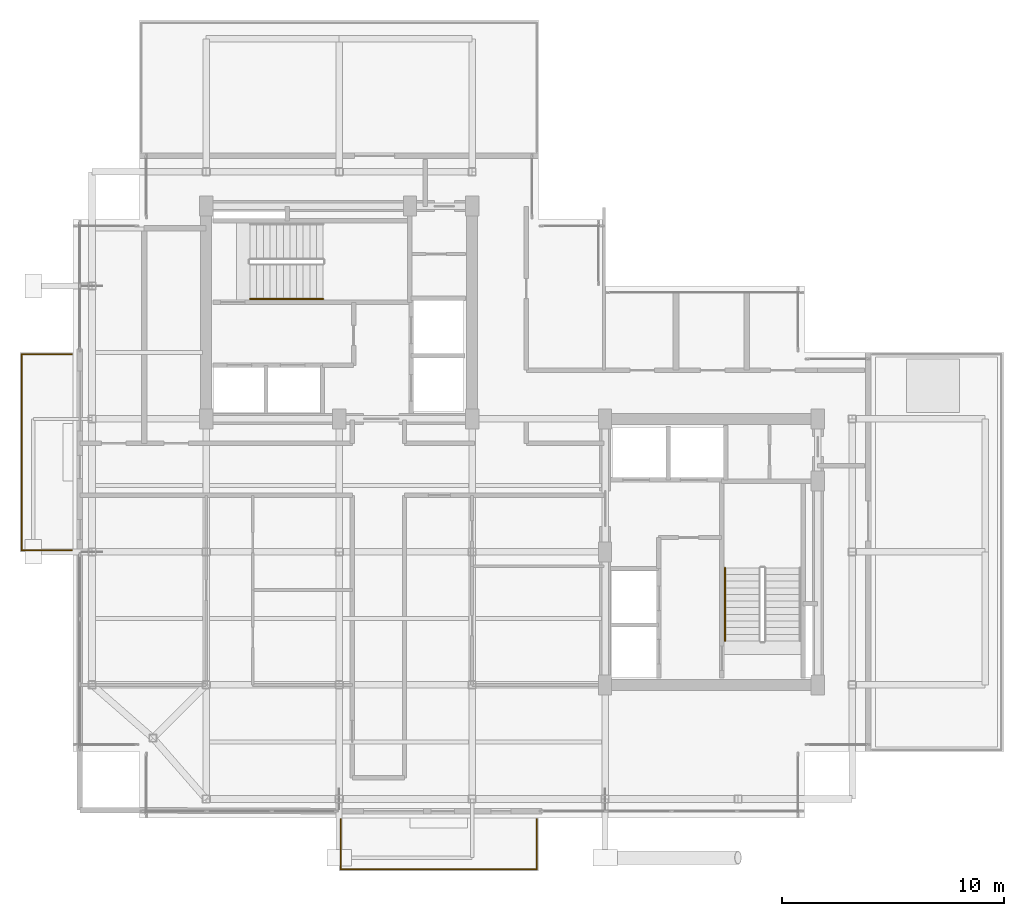
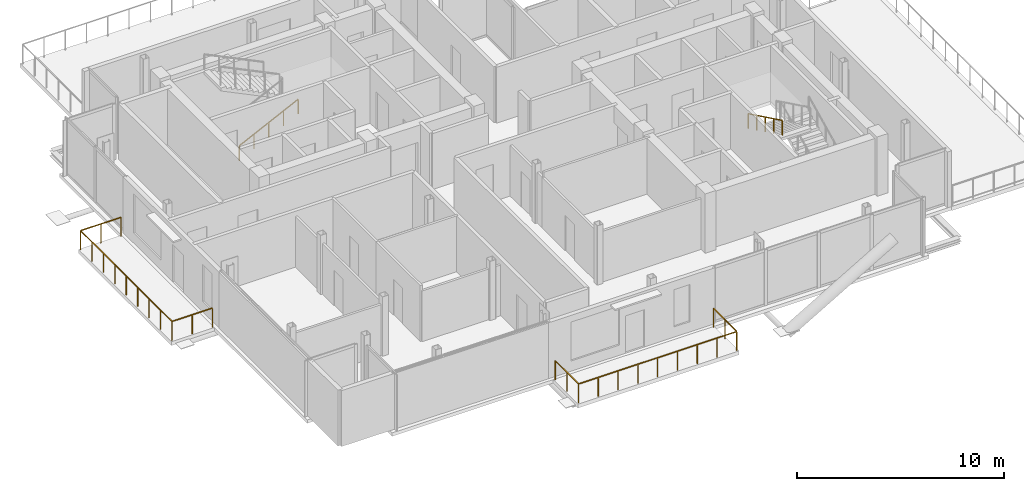
# One storey, part 17 of 19: 4 railings.
"""IFC4 building model written with IfcOpenShell, lengths in metres."""

from ifc_helpers import new_model, si_unit, direction, frame, origin, origin_2d, place, context, subcontext, project, spatial, rectangle, extrude, material, type_object, element, save


model = new_model("IFC4")

# Units and contexts
model_context = context("Model", 3, precision=1e-05, world=origin(), true_north=direction((0.0, 1.0)))
body_context = subcontext(model_context, "Body", "Model", "MODEL_VIEW")
ifc_project = project(units=[si_unit("LENGTHUNIT", "METRE"), si_unit("AREAUNIT", "SQUARE_METRE"), si_unit("VOLUMEUNIT", "CUBIC_METRE"), si_unit("PLANEANGLEUNIT", "RADIAN"), si_unit("MASSUNIT", "GRAM", prefix="KILO"), si_unit("THERMODYNAMICTEMPERATUREUNIT", "KELVIN"), si_unit("POWERUNIT", "WATT")], contexts=[model_context])

# Site, building, storey
site_placement = place(None, origin())
site = spatial("IfcSite", under=ifc_project, at=site_placement, CompositionType="ELEMENT")
building_placement = place(site_placement, origin())
building = spatial("IfcBuilding", under=site, at=building_placement, Name="Svarakhadi Broadcast Tower", CompositionType="ELEMENT")
storey_placement = place(building_placement, frame((0.0, 0.0, 239.699951171875)))
storey = spatial("IfcBuildingStorey", under=building, at=storey_placement, Name="L59", CompositionType="ELEMENT", Elevation=239.699951171875)

# Railings
ifc_material_1 = material(Name="Laminated Structural SentryGlas Balustrade 25.5 mm", Category="glass")
railing_type_1 = type_object("IfcRailingType", Name="Guard_Balcony_GR01", PredefinedType="BALUSTRADE", material=ifc_material_1)
railing_1_placement = place(storey_placement, frame((12.080078125, -0.06005859375, 0.0)))
element("IfcRailing", 1, at=railing_1_placement, inside=storey, type_object=railing_type_1, Name="L59 South Tree Balcony Guard GR-05", PredefinedType="BALUSTRADE", context=body_context, shape_type="SweptSolid", body=[
    extrude(rectangle(XDim=0.048095703125, YDim=0.048095703125, at=origin_2d()), frame((0.0, 0.0, 1.1259765625), z_axis=(0.0, -1.0, 0.0), x_axis=(1.0, 0.0, 0.0)), (0.0, 0.0, 1.0), 2.260009765625),
    extrude(rectangle(XDim=0.048095703125, YDim=0.048095703125, at=origin_2d()), frame((0.0, -2.260009765625, 1.1259765625), z_axis=(1.0, 0.0, 0.0), x_axis=(0.0, 1.0, 0.0)), (0.0, 0.0, 1.0), 8.83984375),
    extrude(rectangle(XDim=0.048095703125, YDim=0.048095703125, at=origin_2d()), frame((8.83984375, -2.260009765625, 1.1259765625), z_axis=(0.0, 1.0, 0.0), x_axis=(-1.0, 0.0, 0.0)), (0.0, 0.0, 1.0), 2.260009765625),
    extrude(rectangle(XDim=0.0419921875, YDim=0.0419921875, at=origin_2d()), origin(), (0.0, 0.0, 1.0), 1.101806640625),
    extrude(rectangle(XDim=0.0419921875, YDim=0.0419921875, at=origin_2d()), frame((0.0, -1.1298828125, 0.0)), (0.0, 0.0, 1.0), 1.101806640625),
    extrude(rectangle(XDim=0.0419921875, YDim=0.0419921875, at=origin_2d()), frame((0.0, -2.260009765625, 0.0)), (0.0, 0.0, 1.0), 1.101806640625),
    extrude(rectangle(XDim=0.0419921875, YDim=0.0419921875, at=origin_2d()), frame((1.10498046875, -2.260009765625, 0.0)), (0.0, 0.0, 1.0), 1.101806640625),
    extrude(rectangle(XDim=0.0419921875, YDim=0.0419921875, at=origin_2d()), frame((2.2099609375, -2.260009765625, 0.0)), (0.0, 0.0, 1.0), 1.101806640625),
    extrude(rectangle(XDim=0.0419921875, YDim=0.0419921875, at=origin_2d()), frame((3.31494140625, -2.260009765625, 0.0)), (0.0, 0.0, 1.0), 1.101806640625),
    extrude(rectangle(XDim=0.0419921875, YDim=0.0419921875, at=origin_2d()), frame((4.419921875, -2.260009765625, 0.0)), (0.0, 0.0, 1.0), 1.101806640625),
    extrude(rectangle(XDim=0.0419921875, YDim=0.0419921875, at=origin_2d()), frame((5.52490234375, -2.260009765625, 0.0)), (0.0, 0.0, 1.0), 1.101806640625),
    extrude(rectangle(XDim=0.0419921875, YDim=0.0419921875, at=origin_2d()), frame((6.6298828125, -2.260009765625, 0.0)), (0.0, 0.0, 1.0), 1.101806640625),
    extrude(rectangle(XDim=0.0419921875, YDim=0.0419921875, at=origin_2d()), frame((7.73486328125, -2.260009765625, 0.0)), (0.0, 0.0, 1.0), 1.101806640625),
    extrude(rectangle(XDim=0.0419921875, YDim=0.0419921875, at=origin_2d()), frame((8.83984375, -2.260009765625, 0.0)), (0.0, 0.0, 1.0), 1.101806640625),
    extrude(rectangle(XDim=0.0419921875, YDim=0.0419921875, at=origin_2d()), frame((8.83984375, -1.1298828125, 0.0)), (0.0, 0.0, 1.0), 1.101806640625),
    extrude(rectangle(XDim=0.0419921875, YDim=0.0419921875, at=origin_2d()), frame((8.83984375, 0.0, 0.0)), (0.0, 0.0, 1.0), 1.101806640625),
])
railing_2_placement = place(storey_placement, frame((-0.06005859375, 12.080078125, 0.0)))
element("IfcRailing", 2, at=railing_2_placement, inside=storey, type_object=railing_type_1, Name="L59 West Tree Balcony Guard GR-05", PredefinedType="BALUSTRADE", context=body_context, shape_type="SweptSolid", body=[
    extrude(rectangle(XDim=0.048095703125, YDim=0.048095703125, at=origin_2d()), frame((0.0, 0.0, 1.1259765625), z_axis=(-1.0, 0.0, 0.0), x_axis=(0.0, -1.0, 0.0)), (0.0, 0.0, 1.0), 2.260009765625),
    extrude(rectangle(XDim=0.048095703125, YDim=0.048095703125, at=origin_2d()), frame((-2.260009765625, 0.0, 1.1259765625), z_axis=(0.0, 1.0, 0.0), x_axis=(-1.0, 0.0, 0.0)), (0.0, 0.0, 1.0), 8.83984375),
    extrude(rectangle(XDim=0.048095703125, YDim=0.048095703125, at=origin_2d()), frame((-2.260009765625, 8.83984375, 1.1259765625), z_axis=(1.0, 0.0, 0.0), x_axis=(0.0, 1.0, 0.0)), (0.0, 0.0, 1.0), 2.260009765625),
    extrude(rectangle(XDim=0.0419921875, YDim=0.0419921875, at=origin_2d()), origin(), (0.0, 0.0, 1.0), 1.101806640625),
    extrude(rectangle(XDim=0.0419921875, YDim=0.0419921875, at=origin_2d()), frame((-1.1298828125, 0.0, 0.0)), (0.0, 0.0, 1.0), 1.101806640625),
    extrude(rectangle(XDim=0.0419921875, YDim=0.0419921875, at=origin_2d()), frame((-2.260009765625, 0.0, 0.0)), (0.0, 0.0, 1.0), 1.101806640625),
    extrude(rectangle(XDim=0.0419921875, YDim=0.0419921875, at=origin_2d()), frame((-2.260009765625, 1.10498046875, 0.0)), (0.0, 0.0, 1.0), 1.101806640625),
    extrude(rectangle(XDim=0.0419921875, YDim=0.0419921875, at=origin_2d()), frame((-2.260009765625, 2.2099609375, 0.0)), (0.0, 0.0, 1.0), 1.101806640625),
    extrude(rectangle(XDim=0.0419921875, YDim=0.0419921875, at=origin_2d()), frame((-2.260009765625, 3.31494140625, 0.0)), (0.0, 0.0, 1.0), 1.101806640625),
    extrude(rectangle(XDim=0.0419921875, YDim=0.0419921875, at=origin_2d()), frame((-2.260009765625, 4.419921875, 0.0)), (0.0, 0.0, 1.0), 1.101806640625),
    extrude(rectangle(XDim=0.0419921875, YDim=0.0419921875, at=origin_2d()), frame((-2.260009765625, 5.52490234375, 0.0)), (0.0, 0.0, 1.0), 1.101806640625),
    extrude(rectangle(XDim=0.0419921875, YDim=0.0419921875, at=origin_2d()), frame((-2.260009765625, 6.6298828125, 0.0)), (0.0, 0.0, 1.0), 1.101806640625),
    extrude(rectangle(XDim=0.0419921875, YDim=0.0419921875, at=origin_2d()), frame((-2.260009765625, 7.73486328125, 0.0)), (0.0, 0.0, 1.0), 1.101806640625),
    extrude(rectangle(XDim=0.0419921875, YDim=0.0419921875, at=origin_2d()), frame((-2.260009765625, 8.83984375, 0.0)), (0.0, 0.0, 1.0), 1.101806640625),
    extrude(rectangle(XDim=0.0419921875, YDim=0.0419921875, at=origin_2d()), frame((-1.1298828125, 8.83984375, 0.0)), (0.0, 0.0, 1.0), 1.101806640625),
    extrude(rectangle(XDim=0.0419921875, YDim=0.0419921875, at=origin_2d()), frame((0.0, 8.83984375, 0.0)), (0.0, 0.0, 1.0), 1.101806640625),
])
ifc_material_2 = material(Name="Anodised Bronze Aluminium AA 6063-T6", Category="aluminium")
railing_type_2 = type_object("IfcRailingType", Name="Handrail_Stair_HR01", PredefinedType="HANDRAIL", material=ifc_material_2)
railing_3_placement = place(storey_placement, frame((7.97998046875, 23.409912109375, 0.14599609375)))
element("IfcRailing", 3, at=railing_3_placement, inside=storey, type_object=railing_type_2, Name="L59 ST-01 stair handrail 1", PredefinedType="HANDRAIL", context=body_context, shape_type="SweptSolid", body=[
    extrude(rectangle(XDim=0.048095703125, YDim=0.048095703125, at=origin_2d()), frame((0.0, 0.0, 0.8759765625), z_axis=(0.899387838337, 0.0, 0.437151594131), x_axis=(0.0, 1.0, 0.0)), (0.0, 0.0, 1.0), 3.669189453125),
    extrude(rectangle(XDim=0.0419921875, YDim=0.0419921875, at=origin_2d()), origin(), (0.0, 0.0, 1.0), 0.851806640625),
    extrude(rectangle(XDim=0.0419921875, YDim=0.0419921875, at=origin_2d()), frame((0.824951171875, 0.0, 0.40087890625)), (0.0, 0.0, 1.0), 0.851806640625),
    extrude(rectangle(XDim=0.0419921875, YDim=0.0419921875, at=origin_2d()), frame((1.64990234375, 0.0, 0.802001953125)), (0.0, 0.0, 1.0), 0.851806640625),
    extrude(rectangle(XDim=0.0419921875, YDim=0.0419921875, at=origin_2d()), frame((2.47509765625, 0.0, 1.203125)), (0.0, 0.0, 1.0), 0.851806640625),
    extrude(rectangle(XDim=0.0419921875, YDim=0.0419921875, at=origin_2d()), frame((3.300048828125, 0.0, 1.60400390625)), (0.0, 0.0, 1.0), 0.851806640625),
])
railing_4_placement = place(storey_placement, frame((29.409912109375, 11.280029296875, 1.89599609375)))
element("IfcRailing", 4, at=railing_4_placement, inside=storey, type_object=railing_type_2, Name="L59 ST-02 stair handrail 2", PredefinedType="HANDRAIL", context=body_context, shape_type="SweptSolid", body=[
    extrude(rectangle(XDim=0.048095703125, YDim=0.048095703125, at=origin_2d()), frame((0.0, 0.0, 0.8759765625), z_axis=(0.0, -0.899387838337, 0.437151594131), x_axis=(1.0, 0.0, 0.0)), (0.0, 0.0, 1.0), 3.669189453125),
    extrude(rectangle(XDim=0.0419921875, YDim=0.0419921875, at=origin_2d()), origin(), (0.0, 0.0, 1.0), 0.851806640625),
    extrude(rectangle(XDim=0.0419921875, YDim=0.0419921875, at=origin_2d()), frame((0.0, -0.824951171875, 0.40087890625)), (0.0, 0.0, 1.0), 0.851806640625),
    extrude(rectangle(XDim=0.0419921875, YDim=0.0419921875, at=origin_2d()), frame((0.0, -1.64990234375, 0.802001953125)), (0.0, 0.0, 1.0), 0.851806640625),
    extrude(rectangle(XDim=0.0419921875, YDim=0.0419921875, at=origin_2d()), frame((0.0, -2.47509765625, 1.203125)), (0.0, 0.0, 1.0), 0.851806640625),
    extrude(rectangle(XDim=0.0419921875, YDim=0.0419921875, at=origin_2d()), frame((0.0, -3.300048828125, 1.60400390625)), (0.0, 0.0, 1.0), 0.851806640625),
])

save(model, "model.ifc")
